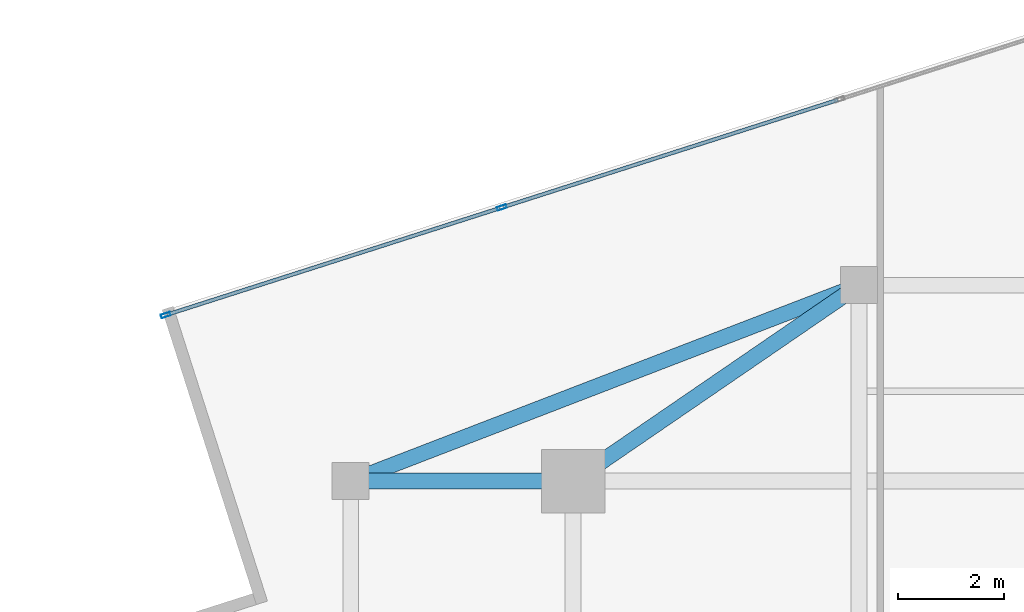
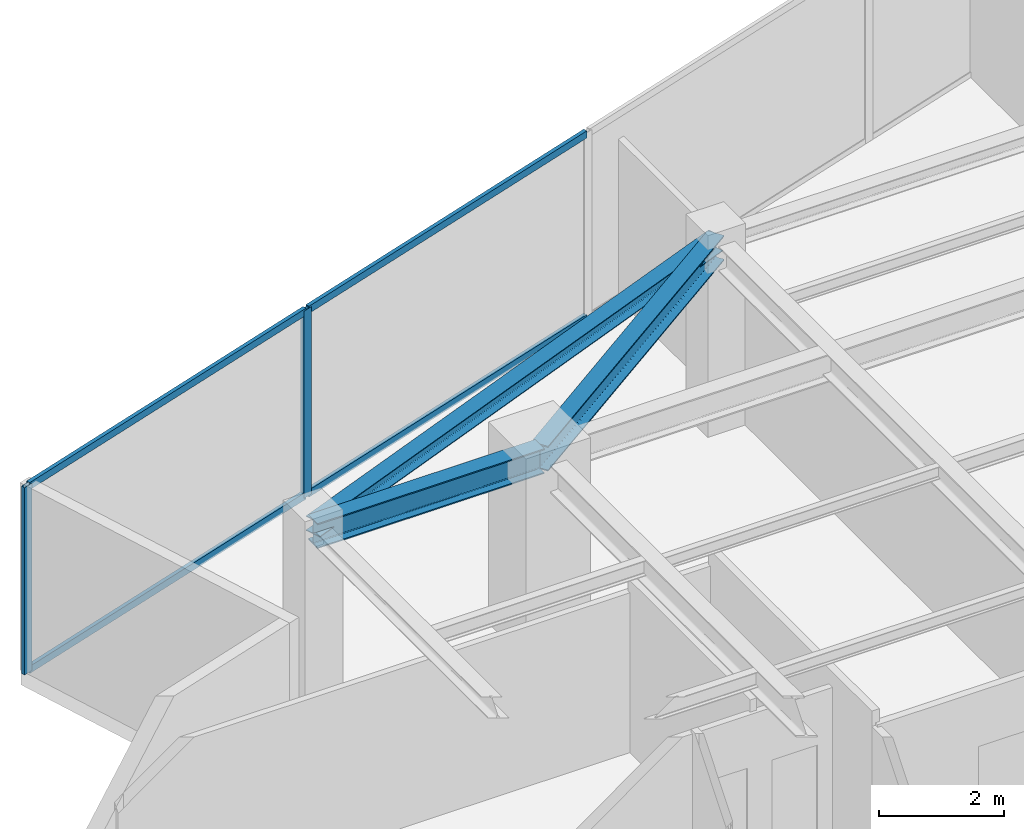
# One storey, part 13 of 21: 6 members, 3 beams, 1 element without a shape of its own.
"""IFC4 building model written with IfcOpenShell, lengths in metres."""

from ifc_helpers import new_model, si_unit, direction, frame, origin, origin_2d, place, context, subcontext, project, spatial, hollow_rectangle, i_section, extrude, source, transform, mapped, material, material_profile, profile_set, type_object, type_shapes, element, aggregate, save


model = new_model("IFC4")

# Units and contexts
model_context = context("Model", 3, precision=1e-05, world=origin(), true_north=direction((0.0, 1.0)))
body_context = subcontext(model_context, "Body", "Model", "MODEL_VIEW")
ifc_project = project(units=[si_unit("LENGTHUNIT", "METRE"), si_unit("AREAUNIT", "SQUARE_METRE"), si_unit("VOLUMEUNIT", "CUBIC_METRE"), si_unit("PLANEANGLEUNIT", "RADIAN"), si_unit("MASSUNIT", "GRAM", prefix="KILO")], contexts=[model_context])

# Site, building, storey
site_placement = place(None, origin())
site = spatial("IfcSite", under=ifc_project, at=site_placement, CompositionType="ELEMENT")
building_placement = place(site_placement, origin())
building = spatial("IfcBuilding", under=site, at=building_placement, Name="Krantzveldt Concourse Tower", CompositionType="ELEMENT")
storey_placement = place(building_placement, frame((0.0, 0.0, 339.550048828125)))
storey = spatial("IfcBuildingStorey", under=building, at=storey_placement, Name="L83", CompositionType="ELEMENT", Elevation=339.550048828125)

# Beams
ifc_material_1 = material(Name="Steel S355JR", Category="steel")
ifc_material_profile_1 = material_profile(ifc_material_1, i_section(OverallWidth=0.300048828125, OverallDepth=0.489990234375, WebThickness=0.011962890625, FlangeThickness=0.02294921875, FilletRadius=0.027099609375, at=origin_2d()), Name="Steel S355JR", Category="steel")
ifc_profile_set_1 = profile_set([ifc_material_profile_1], Name="Steel S355JR - HEA 500")
beam_type_1 = type_object("IfcBeamType", Name="BM-B-HEA500", PredefinedType="BEAM", material=ifc_profile_set_1)
shared_shape_1 = source(origin(), body_context, "Body", "SweptSolid", [
    extrude(i_section(OverallWidth=0.300048828125, OverallDepth=0.489990234375, WebThickness=0.011962890625, FlangeThickness=0.02294921875, FilletRadius=0.027099609375, at=origin_2d()), origin(), (0.0, 0.0, 1.0), 4.199951171875),
])
beam_1_placement = place(storey_placement, frame((21.0, 37.5, 3.425048828125), z_axis=(1.0, 0.0, 0.0), x_axis=(0.0, 1.0, 0.0)))
element("IfcBeam", 1, at=beam_1_placement, inside=storey, type_object=beam_type_1, Name="L83 Tower Girder BR-RL3", PredefinedType="BEAM", context=body_context, shape_type="MappedRepresentation", body=[
    mapped(shared_shape_1, transform((0.0, 0.0, 0.0), x_axis=(1.0, 0.0, 0.0), y_axis=(0.0, 1.0, 0.0), z_axis=(0.0, 0.0, 1.0), scale=1.0)),
])
shared_shape_2 = source(origin(), body_context, "Body", "SweptSolid", [
    extrude(i_section(OverallWidth=0.300048828125, OverallDepth=0.489990234375, WebThickness=0.011962890625, FlangeThickness=0.02294921875, FilletRadius=0.027099609375, at=origin_2d()), origin(), (0.0, 0.0, 1.0), 6.546142578125),
])
type_shapes(beam_type_1, [shared_shape_1, shared_shape_2])
beam_2_placement = place(storey_placement, frame((25.199951171875, 37.5, 3.425048828125), z_axis=(0.824942999484, 0.565215930068, 0.0), x_axis=(-0.565215930068, 0.824942999484, 0.0)))
element("IfcBeam", 2, at=beam_2_placement, inside=storey, type_object=beam_type_1, Name="L83 Tower Girder BR-RL4", PredefinedType="BEAM", context=body_context, shape_type="MappedRepresentation", body=[
    mapped(shared_shape_2, transform((0.0, 0.0, 0.0), x_axis=(1.0, 0.0, 0.0), y_axis=(0.0, 1.0, 0.0), z_axis=(0.0, 0.0, 1.0), scale=1.0)),
])
ifc_material_profile_2 = material_profile(ifc_material_1, i_section(OverallWidth=0.2900390625, OverallDepth=0.2900390625, WebThickness=0.008544921875, FlangeThickness=0.013916015625, FilletRadius=0.027099609375, at=origin_2d()), Name="Steel S355JR", Category="steel")
ifc_profile_set_2 = profile_set([ifc_material_profile_2], Name="Steel S355JR - HEA 300")
beam_type_2 = type_object("IfcBeamType", Name="BM-SP-HEA300", PredefinedType="SPANDREL", material=ifc_profile_set_2)
shared_shape_3 = source(origin(), body_context, "Body", "SweptSolid", [
    extrude(i_section(OverallWidth=0.2900390625, OverallDepth=0.2900390625, WebThickness=0.008544921875, FlangeThickness=0.013916015625, FilletRadius=0.027099609375, at=origin_2d()), origin(), (0.0, 0.0, 1.0), 10.288330078125),
])
type_shapes(beam_type_2, [shared_shape_3])
beam_3_placement = place(storey_placement, frame((21.0, 37.5, 3.52490234375), z_axis=(0.933097690408, 0.359622997257, 0.0), x_axis=(-0.359622997257, 0.933097690408, 0.0)))
element("IfcBeam", 3, at=beam_3_placement, inside=storey, type_object=beam_type_2, Name="L83 Tower Girder SP-R03", PredefinedType="SPANDREL", context=body_context, shape_type="MappedRepresentation", body=[
    mapped(shared_shape_3, transform((0.0, 0.0, 0.0), x_axis=(1.0, 0.0, 0.0), y_axis=(0.0, 1.0, 0.0), z_axis=(0.0, 0.0, 1.0), scale=1.0)),
])

# Curtain wall, members
ifc_material_2 = material(Name="Anodised aluminium 6063-T6", Category="aluminium")
curtain_wall_type = type_object("IfcCurtainWallType", Name="CW4", PredefinedType="USERDEFINED", material=ifc_material_2)
curtain_wall_placement = place(storey_placement, origin())
curtain_wall = element("IfcCurtainWall", 4, at=curtain_wall_placement, inside=storey, type_object=curtain_wall_type, Name="CW-L83-F01", ObjectType="UNITISED CURTAIN WALL", PredefinedType="USERDEFINED")
ifc_material_profile_3 = material_profile(ifc_material_2, hollow_rectangle(XDim=0.070068359375, YDim=0.179931640625, WallThickness=0.0048828125, at=origin_2d()), Name="Anodised aluminium 6063-T6", Category="aluminium")
ifc_profile_set_3 = profile_set([ifc_material_profile_3], Name="Anodised aluminium 6063-T6 - ALU-MULL 180x70x5")
member_type_1 = type_object("IfcMemberType", Name="CW-MUL-180", PredefinedType="MULLION", material=ifc_profile_set_3)
shared_shape_4 = source(origin(), body_context, "Body", "SweptSolid", [
    extrude(hollow_rectangle(XDim=0.070068359375, YDim=0.179931640625, WallThickness=0.0048828125, at=origin_2d()), origin(), (0.0, 0.0, 1.0), 3.669921875),
])
type_shapes(member_type_1, [shared_shape_4])
member_1_placement = place(storey_placement, frame((23.85400390625, 42.667236328125, 0.0), z_axis=(0.0, 0.0, 1.0), x_axis=(0.304864162408, -0.952395843376, 0.0)))
member_1 = element("IfcMember", 5, at=member_1_placement, type_object=member_type_1, Name="CW-Z56 mullion 4", PredefinedType="MULLION", context=body_context, shape_type="MappedRepresentation", body=[
    mapped(shared_shape_4, transform((0.0, 0.0, 0.0), x_axis=(1.0, 0.0, 0.0), y_axis=(0.0, 1.0, 0.0), z_axis=(0.0, 0.0, 1.0), scale=1.0)),
])
member_2_placement = place(storey_placement, frame((17.50634765625, 40.63525390625, 0.0), z_axis=(0.0, 0.0, 1.0), x_axis=(0.304864162408, -0.952395843376, 0.0)))
member_2 = element("IfcMember", 6, at=member_2_placement, type_object=member_type_1, Name="CW-Z56 mullion 5", PredefinedType="MULLION", context=body_context, shape_type="MappedRepresentation", body=[
    mapped(shared_shape_4, transform((0.0, 0.0, 0.0), x_axis=(1.0, 0.0, 0.0), y_axis=(0.0, 1.0, 0.0), z_axis=(0.0, 0.0, 1.0), scale=1.0)),
])
ifc_material_profile_4 = material_profile(ifc_material_2, hollow_rectangle(XDim=0.070068359375, YDim=0.139892578125, WallThickness=0.0048828125, at=origin_2d()), Name="Anodised aluminium 6063-T6", Category="aluminium")
ifc_profile_set_4 = profile_set([ifc_material_profile_4], Name="Anodised aluminium 6063-T6 - ALU-TRAN 140x70x5")
member_type_2 = type_object("IfcMemberType", Name="CW-TRN-150", PredefinedType="USERDEFINED", material=ifc_profile_set_4)
shared_shape_5 = source(origin(), body_context, "Body", "SweptSolid", [
    extrude(hollow_rectangle(XDim=0.070068359375, YDim=0.139892578125, WallThickness=0.0048828125, at=origin_2d()), origin(), (0.0, 0.0, 1.0), 6.594970703125),
])
member_3_placement = place(storey_placement, frame((23.820556640625, 42.656494140625, 0.034912109375), z_axis=(-0.952398783715, -0.304854976635, 0.0), x_axis=(0.304854976635, -0.952398783715, 0.0)))
member_3 = element("IfcMember", 7, at=member_3_placement, type_object=member_type_2, Name="CW-Z56 transom 4.1", ObjectType="TRANSOM", PredefinedType="USERDEFINED", context=body_context, shape_type="MappedRepresentation", body=[
    mapped(shared_shape_5, transform((0.0, 0.0, 0.0), x_axis=(1.0, 0.0, 0.0), y_axis=(0.0, 1.0, 0.0), z_axis=(0.0, 0.0, 1.0), scale=1.0)),
])
member_4_placement = place(storey_placement, frame((23.820556640625, 42.656494140625, 3.635009765625), z_axis=(-0.952398783715, -0.304854976635, 0.0), x_axis=(0.304854976635, -0.952398783715, 0.0)))
member_4 = element("IfcMember", 8, at=member_4_placement, type_object=member_type_2, Name="CW-Z56 transom 4.2", ObjectType="TRANSOM", PredefinedType="USERDEFINED", context=body_context, shape_type="MappedRepresentation", body=[
    mapped(shared_shape_5, transform((0.0, 0.0, 0.0), x_axis=(1.0, 0.0, 0.0), y_axis=(0.0, 1.0, 0.0), z_axis=(0.0, 0.0, 1.0), scale=1.0)),
])
shared_shape_6 = source(origin(), body_context, "Body", "SweptSolid", [
    extrude(hollow_rectangle(XDim=0.070068359375, YDim=0.139892578125, WallThickness=0.0048828125, at=origin_2d()), origin(), (0.0, 0.0, 1.0), 6.630126953125),
])
type_shapes(member_type_2, [shared_shape_5, shared_shape_6])
member_5_placement = place(storey_placement, frame((30.20166015625, 44.69921875, 0.034912109375), z_axis=(-0.95239720744, -0.304859901036, 0.0), x_axis=(0.304859901036, -0.95239720744, 0.0)))
member_5 = element("IfcMember", 9, at=member_5_placement, type_object=member_type_2, Name="CW-Z56 transom 3.1", ObjectType="TRANSOM", PredefinedType="USERDEFINED", context=body_context, shape_type="MappedRepresentation", body=[
    mapped(shared_shape_6, transform((0.0, 0.0, 0.0), x_axis=(1.0, 0.0, 0.0), y_axis=(0.0, 1.0, 0.0), z_axis=(0.0, 0.0, 1.0), scale=1.0)),
])
member_6_placement = place(storey_placement, frame((30.20166015625, 44.69921875, 3.635009765625), z_axis=(-0.95239720744, -0.304859901036, 0.0), x_axis=(0.304859901036, -0.95239720744, 0.0)))
member_6 = element("IfcMember", 10, at=member_6_placement, type_object=member_type_2, Name="CW-Z56 transom 3.2", ObjectType="TRANSOM", PredefinedType="USERDEFINED", context=body_context, shape_type="MappedRepresentation", body=[
    mapped(shared_shape_6, transform((0.0, 0.0, 0.0), x_axis=(1.0, 0.0, 0.0), y_axis=(0.0, 1.0, 0.0), z_axis=(0.0, 0.0, 1.0), scale=1.0)),
])
aggregate(curtain_wall, [member_1, member_2, member_5, member_6, member_3, member_4])

save(model, "model.ifc")
